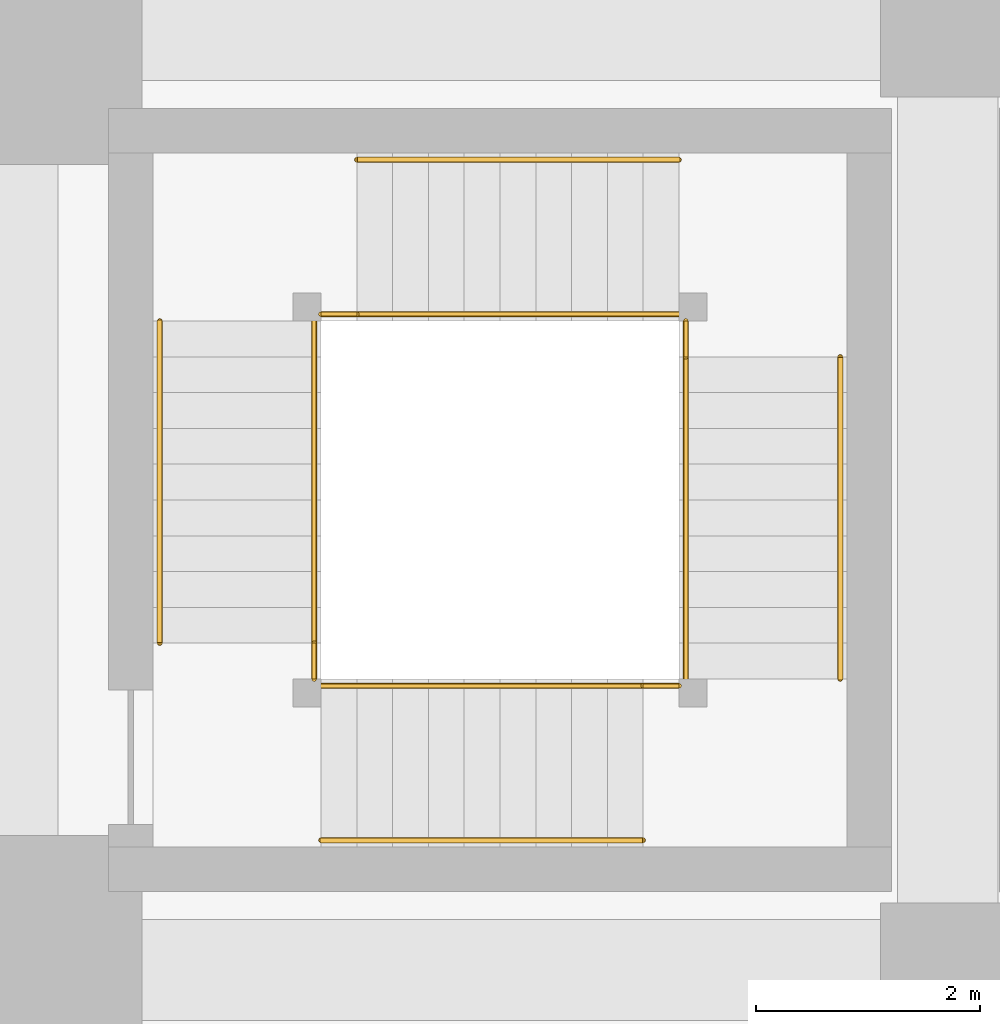
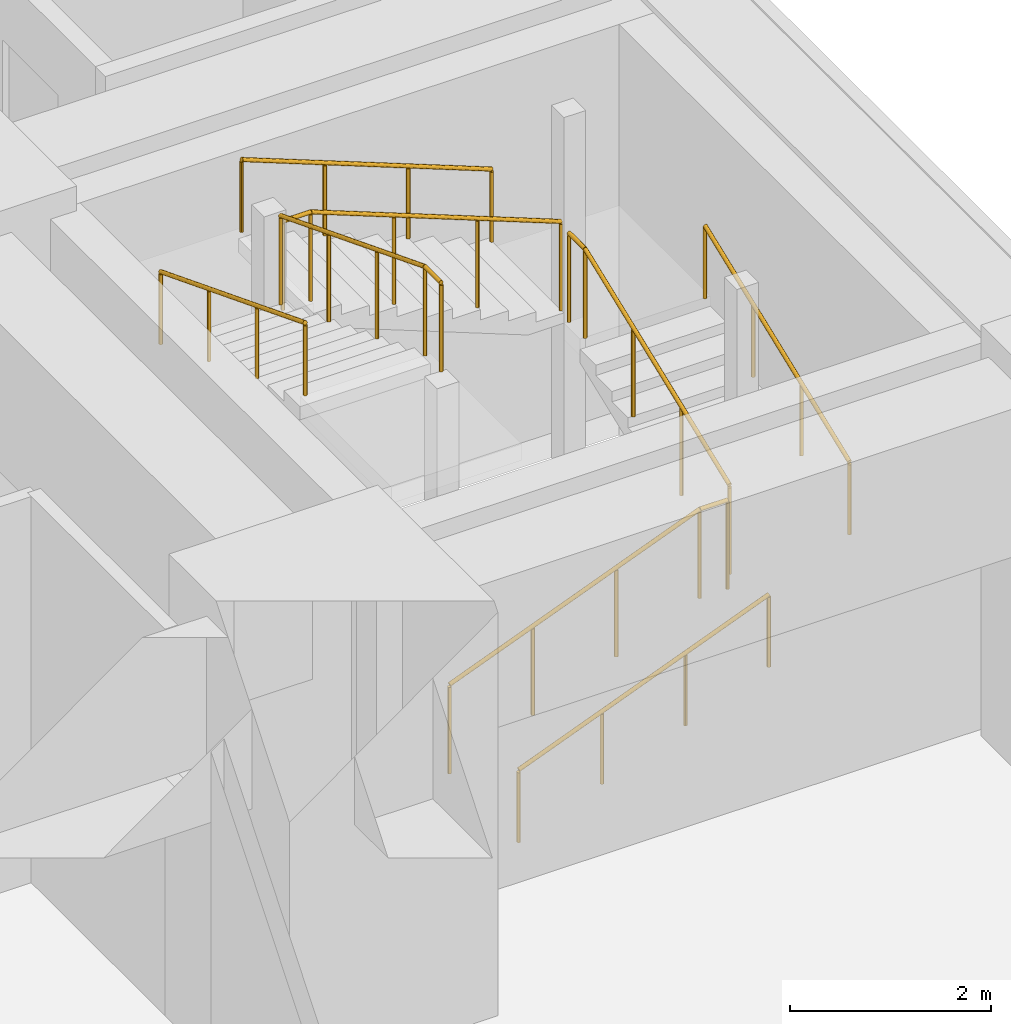
# One storey, part 49 of 49: 12 railings.
"""IFC4 building model written with IfcOpenShell, lengths in metres."""

from ifc_helpers import new_model, si_unit, direction, frame, origin, origin_2d, place, context, subcontext, project, spatial, circle, extrude, material, type_object, element, save


model = new_model("IFC4")

# Units and contexts
model_context = context("Model", 3, precision=1e-05, world=origin(), true_north=direction((0.0, 1.0)))
body_context = subcontext(model_context, "Body", "Model", "MODEL_VIEW")
ifc_project = project(units=[si_unit("LENGTHUNIT", "METRE"), si_unit("AREAUNIT", "SQUARE_METRE"), si_unit("VOLUMEUNIT", "CUBIC_METRE"), si_unit("PLANEANGLEUNIT", "RADIAN"), si_unit("MASSUNIT", "GRAM", prefix="KILO")], contexts=[model_context])

# Site, building, storey
site_placement = place(None, origin())
site = spatial("IfcSite", under=ifc_project, at=site_placement, CompositionType="ELEMENT")
building_placement = place(site_placement, origin())
building = spatial("IfcBuilding", under=site, at=building_placement, Name="Rekha Terrace Tower", CompositionType="ELEMENT")
storey_placement = place(building_placement, frame((0.0, 0.0, 5.39990234375)))
storey = spatial("IfcBuildingStorey", under=building, at=storey_placement, Name="L01", CompositionType="ELEMENT", Elevation=5.39990234375)

# Railings
ifc_material_1 = material(Name="Stainless steel balustrade", Category="steel")
railing_type_1 = type_object("IfcRailingType", Name="GR1 1100 stair guard", PredefinedType="GUARDRAIL", material=ifc_material_1)
railing_1_placement = place(storey_placement, frame((70.0, 27.739990234375, 0.125)))
element("IfcRailing", 1, at=railing_1_placement, inside=storey, type_object=railing_type_1, Name="Guard SP2 L01 flight 1", PredefinedType="GUARDRAIL", context=body_context, shape_type="SweptSolid", body=[
    extrude(circle(Radius=0.02392578125, at=origin_2d()), frame((0.0, 0.0, 1.076171875), z_axis=(0.931452331594, 0.0, 0.363863372667), x_axis=(0.0, 1.0, 0.0)), (0.0, 0.0, 1.0), 3.091796875),
    extrude(circle(Radius=0.02099609375, at=origin_2d()), origin(), (0.0, 0.0, 1.0), 1.052001953125),
    extrude(circle(Radius=0.02099609375, at=origin_2d()), frame((0.9599609375, 0.0, 0.375)), (0.0, 0.0, 1.0), 1.052001953125),
    extrude(circle(Radius=0.02099609375, at=origin_2d()), frame((1.919921875, 0.0, 0.75)), (0.0, 0.0, 1.0), 1.052001953125),
    extrude(circle(Radius=0.02099609375, at=origin_2d()), frame((2.8798828125, 0.0, 1.125)), (0.0, 0.0, 1.0), 1.052001953125),
])
railing_2_placement = place(storey_placement, frame((73.260009765625, 27.800048828125, 1.375)))
element("IfcRailing", 2, at=railing_2_placement, inside=storey, type_object=railing_type_1, Name="Guard SP2 L01 flight 2", PredefinedType="GUARDRAIL", context=body_context, shape_type="SweptSolid", body=[
    extrude(circle(Radius=0.02392578125, at=origin_2d()), frame((0.0, 0.0, 1.076171875), z_axis=(0.0, 0.931452331594, 0.363863372667), x_axis=(-1.0, 0.0, 0.0)), (0.0, 0.0, 1.0), 3.091796875),
    extrude(circle(Radius=0.02099609375, at=origin_2d()), origin(), (0.0, 0.0, 1.0), 1.052001953125),
    extrude(circle(Radius=0.02099609375, at=origin_2d()), frame((0.0, 0.9599609375, 0.375)), (0.0, 0.0, 1.0), 1.052001953125),
    extrude(circle(Radius=0.02099609375, at=origin_2d()), frame((0.0, 1.919921875, 0.75)), (0.0, 0.0, 1.0), 1.052001953125),
    extrude(circle(Radius=0.02099609375, at=origin_2d()), frame((0.0, 2.8798828125, 1.125)), (0.0, 0.0, 1.0), 1.052001953125),
])
railing_3_placement = place(storey_placement, frame((73.199951171875, 31.06005859375, 2.625)))
element("IfcRailing", 3, at=railing_3_placement, inside=storey, type_object=railing_type_1, Name="Guard SP2 L01 flight 3", PredefinedType="GUARDRAIL", context=body_context, shape_type="SweptSolid", body=[
    extrude(circle(Radius=0.02392578125, at=origin_2d()), frame((0.0, 0.0, 1.076171875), z_axis=(-0.931452331594, 0.0, 0.363863372667), x_axis=(0.0, -1.0, 0.0)), (0.0, 0.0, 1.0), 3.091796875),
    extrude(circle(Radius=0.02099609375, at=origin_2d()), origin(), (0.0, 0.0, 1.0), 1.052001953125),
    extrude(circle(Radius=0.02099609375, at=origin_2d()), frame((-0.9599609375, 0.0, 0.375)), (0.0, 0.0, 1.0), 1.052001953125),
    extrude(circle(Radius=0.02099609375, at=origin_2d()), frame((-1.919921875, 0.0, 0.75)), (0.0, 0.0, 1.0), 1.052001953125),
    extrude(circle(Radius=0.02099609375, at=origin_2d()), frame((-2.8798828125, 0.0, 1.125)), (0.0, 0.0, 1.0), 1.052001953125),
])
railing_4_placement = place(storey_placement, frame((69.93994140625, 31.0, 3.875)))
element("IfcRailing", 4, at=railing_4_placement, inside=storey, type_object=railing_type_1, Name="Guard SP2 L01 flight 4", PredefinedType="GUARDRAIL", context=body_context, shape_type="SweptSolid", body=[
    extrude(circle(Radius=0.02392578125, at=origin_2d()), frame((0.0, 0.0, 1.076171875), z_axis=(0.0, -0.931452331594, 0.363863372667), x_axis=(1.0, 0.0, 0.0)), (0.0, 0.0, 1.0), 3.091796875),
    extrude(circle(Radius=0.02099609375, at=origin_2d()), origin(), (0.0, 0.0, 1.0), 1.052001953125),
    extrude(circle(Radius=0.02099609375, at=origin_2d()), frame((0.0, -0.9599609375, 0.375)), (0.0, 0.0, 1.0), 1.052001953125),
    extrude(circle(Radius=0.02099609375, at=origin_2d()), frame((0.0, -1.919921875, 0.75)), (0.0, 0.0, 1.0), 1.052001953125),
    extrude(circle(Radius=0.02099609375, at=origin_2d()), frame((0.0, -2.8798828125, 1.125)), (0.0, 0.0, 1.0), 1.052001953125),
])
railing_5_placement = place(storey_placement, frame((72.8798828125, 27.739990234375, 1.25)))
element("IfcRailing", 5, at=railing_5_placement, inside=storey, type_object=railing_type_1, Name="Guard SP2 L01 landing 1", PredefinedType="GUARDRAIL", context=body_context, shape_type="SweptSolid", body=[
    extrude(circle(Radius=0.02392578125, at=origin_2d()), frame((0.0, 0.0, 1.076171875), z_axis=(1.0, 0.0, 0.0), x_axis=(0.0, 1.0, 0.0)), (0.0, 0.0, 1.0), 0.320068359375),
    extrude(circle(Radius=0.02099609375, at=origin_2d()), origin(), (0.0, 0.0, 1.0), 1.052001953125),
    extrude(circle(Radius=0.02099609375, at=origin_2d()), frame((0.320068359375, 0.0, 0.0)), (0.0, 0.0, 1.0), 1.052001953125),
])
railing_6_placement = place(storey_placement, frame((73.260009765625, 30.679931640625, 2.5)))
element("IfcRailing", 6, at=railing_6_placement, inside=storey, type_object=railing_type_1, Name="Guard SP2 L01 landing 2", PredefinedType="GUARDRAIL", context=body_context, shape_type="SweptSolid", body=[
    extrude(circle(Radius=0.02392578125, at=origin_2d()), frame((0.0, 0.0, 1.076171875), z_axis=(0.0, 1.0, 0.0), x_axis=(-1.0, 0.0, 0.0)), (0.0, 0.0, 1.0), 0.320068359375),
    extrude(circle(Radius=0.02099609375, at=origin_2d()), origin(), (0.0, 0.0, 1.0), 1.052001953125),
    extrude(circle(Radius=0.02099609375, at=origin_2d()), frame((0.0, 0.320068359375, 0.0)), (0.0, 0.0, 1.0), 1.052001953125),
])
railing_7_placement = place(storey_placement, frame((70.0, 31.06005859375, 3.75)))
element("IfcRailing", 7, at=railing_7_placement, inside=storey, type_object=railing_type_1, Name="Guard SP2 L01 landing 3", PredefinedType="GUARDRAIL", context=body_context, shape_type="SweptSolid", body=[
    extrude(circle(Radius=0.02392578125, at=origin_2d()), frame((0.0, 0.0, 1.076171875), z_axis=(1.0, 0.0, 0.0), x_axis=(0.0, 1.0, 0.0)), (0.0, 0.0, 1.0), 0.320068359375),
    extrude(circle(Radius=0.02099609375, at=origin_2d()), origin(), (0.0, 0.0, 1.0), 1.052001953125),
    extrude(circle(Radius=0.02099609375, at=origin_2d()), frame((0.320068359375, 0.0, 0.0)), (0.0, 0.0, 1.0), 1.052001953125),
])
railing_8_placement = place(storey_placement, frame((69.93994140625, 27.800048828125, 5.0)))
element("IfcRailing", 8, at=railing_8_placement, inside=storey, type_object=railing_type_1, Name="Guard SP2 L01 landing 4", PredefinedType="GUARDRAIL", context=body_context, shape_type="SweptSolid", body=[
    extrude(circle(Radius=0.02392578125, at=origin_2d()), frame((0.0, 0.0, 1.076171875), z_axis=(0.0, 1.0, 0.0), x_axis=(-1.0, 0.0, 0.0)), (0.0, 0.0, 1.0), 0.320068359375),
    extrude(circle(Radius=0.02099609375, at=origin_2d()), origin(), (0.0, 0.0, 1.0), 1.052001953125),
    extrude(circle(Radius=0.02099609375, at=origin_2d()), frame((0.0, 0.320068359375, 0.0)), (0.0, 0.0, 1.0), 1.052001953125),
])
ifc_material_2 = material(Name="Stainless steel tube", Category="steel")
railing_type_2 = type_object("IfcRailingType", Name="HR1 900 stair handrail", PredefinedType="HANDRAIL", material=ifc_material_2)
railing_9_placement = place(storey_placement, frame((70.0, 26.360107421875, 0.125)))
element("IfcRailing", 9, at=railing_9_placement, inside=storey, type_object=railing_type_2, Name="Handrail SP2 L01 flight 1", PredefinedType="HANDRAIL", context=body_context, shape_type="SweptSolid", body=[
    extrude(circle(Radius=0.02392578125, at=origin_2d()), frame((0.0, 0.0, 0.8759765625), z_axis=(0.931452331594, 0.0, 0.363863372667), x_axis=(0.0, 1.0, 0.0)), (0.0, 0.0, 1.0), 3.091796875),
    extrude(circle(Radius=0.02099609375, at=origin_2d()), origin(), (0.0, 0.0, 1.0), 0.851806640625),
    extrude(circle(Radius=0.02099609375, at=origin_2d()), frame((0.9599609375, 0.0, 0.375)), (0.0, 0.0, 1.0), 0.851806640625),
    extrude(circle(Radius=0.02099609375, at=origin_2d()), frame((1.919921875, 0.0, 0.75)), (0.0, 0.0, 1.0), 0.851806640625),
    extrude(circle(Radius=0.02099609375, at=origin_2d()), frame((2.8798828125, 0.0, 1.125)), (0.0, 0.0, 1.0), 0.851806640625),
])
railing_10_placement = place(storey_placement, frame((74.639892578125, 27.800048828125, 1.375)))
element("IfcRailing", 10, at=railing_10_placement, inside=storey, type_object=railing_type_2, Name="Handrail SP2 L01 flight 2", PredefinedType="HANDRAIL", context=body_context, shape_type="SweptSolid", body=[
    extrude(circle(Radius=0.02392578125, at=origin_2d()), frame((0.0, 0.0, 0.8759765625), z_axis=(0.0, 0.931452331594, 0.363863372667), x_axis=(-1.0, 0.0, 0.0)), (0.0, 0.0, 1.0), 3.091796875),
    extrude(circle(Radius=0.02099609375, at=origin_2d()), origin(), (0.0, 0.0, 1.0), 0.851806640625),
    extrude(circle(Radius=0.02099609375, at=origin_2d()), frame((0.0, 0.9599609375, 0.375)), (0.0, 0.0, 1.0), 0.851806640625),
    extrude(circle(Radius=0.02099609375, at=origin_2d()), frame((0.0, 1.919921875, 0.75)), (0.0, 0.0, 1.0), 0.851806640625),
    extrude(circle(Radius=0.02099609375, at=origin_2d()), frame((0.0, 2.8798828125, 1.125)), (0.0, 0.0, 1.0), 0.851806640625),
])
railing_11_placement = place(storey_placement, frame((73.199951171875, 32.43994140625, 2.625)))
element("IfcRailing", 11, at=railing_11_placement, inside=storey, type_object=railing_type_2, Name="Handrail SP2 L01 flight 3", PredefinedType="HANDRAIL", context=body_context, shape_type="SweptSolid", body=[
    extrude(circle(Radius=0.02392578125, at=origin_2d()), frame((0.0, 0.0, 0.8759765625), z_axis=(-0.931452331594, 0.0, 0.363863372667), x_axis=(0.0, -1.0, 0.0)), (0.0, 0.0, 1.0), 3.091796875),
    extrude(circle(Radius=0.02099609375, at=origin_2d()), origin(), (0.0, 0.0, 1.0), 0.851806640625),
    extrude(circle(Radius=0.02099609375, at=origin_2d()), frame((-0.9599609375, 0.0, 0.375)), (0.0, 0.0, 1.0), 0.851806640625),
    extrude(circle(Radius=0.02099609375, at=origin_2d()), frame((-1.919921875, 0.0, 0.75)), (0.0, 0.0, 1.0), 0.851806640625),
    extrude(circle(Radius=0.02099609375, at=origin_2d()), frame((-2.8798828125, 0.0, 1.125)), (0.0, 0.0, 1.0), 0.851806640625),
])
railing_12_placement = place(storey_placement, frame((68.56005859375, 31.0, 3.875)))
element("IfcRailing", 12, at=railing_12_placement, inside=storey, type_object=railing_type_2, Name="Handrail SP2 L01 flight 4", PredefinedType="HANDRAIL", context=body_context, shape_type="SweptSolid", body=[
    extrude(circle(Radius=0.02392578125, at=origin_2d()), frame((0.0, 0.0, 0.8759765625), z_axis=(0.0, -0.931452331594, 0.363863372667), x_axis=(1.0, 0.0, 0.0)), (0.0, 0.0, 1.0), 3.091796875),
    extrude(circle(Radius=0.02099609375, at=origin_2d()), origin(), (0.0, 0.0, 1.0), 0.851806640625),
    extrude(circle(Radius=0.02099609375, at=origin_2d()), frame((0.0, -0.9599609375, 0.375)), (0.0, 0.0, 1.0), 0.851806640625),
    extrude(circle(Radius=0.02099609375, at=origin_2d()), frame((0.0, -1.919921875, 0.75)), (0.0, 0.0, 1.0), 0.851806640625),
    extrude(circle(Radius=0.02099609375, at=origin_2d()), frame((0.0, -2.8798828125, 1.125)), (0.0, 0.0, 1.0), 0.851806640625),
])

save(model, "model.ifc")
